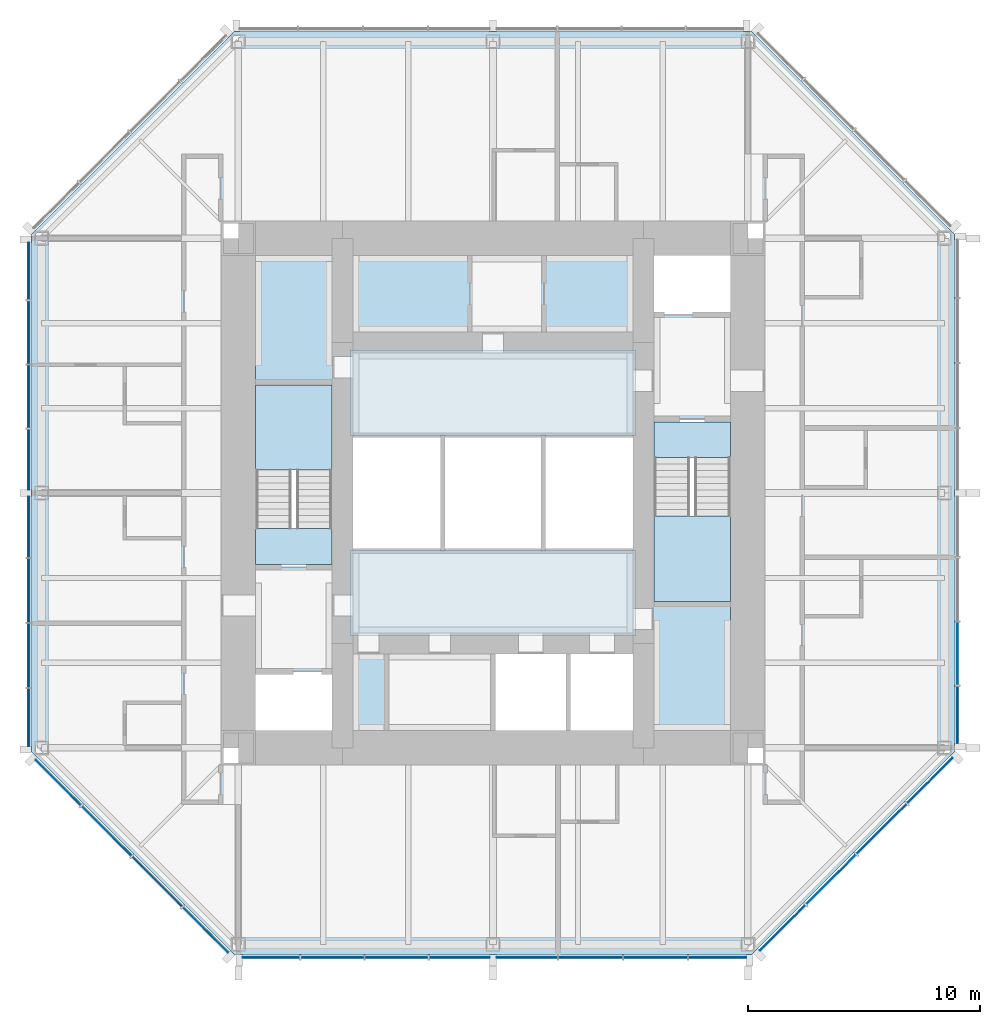
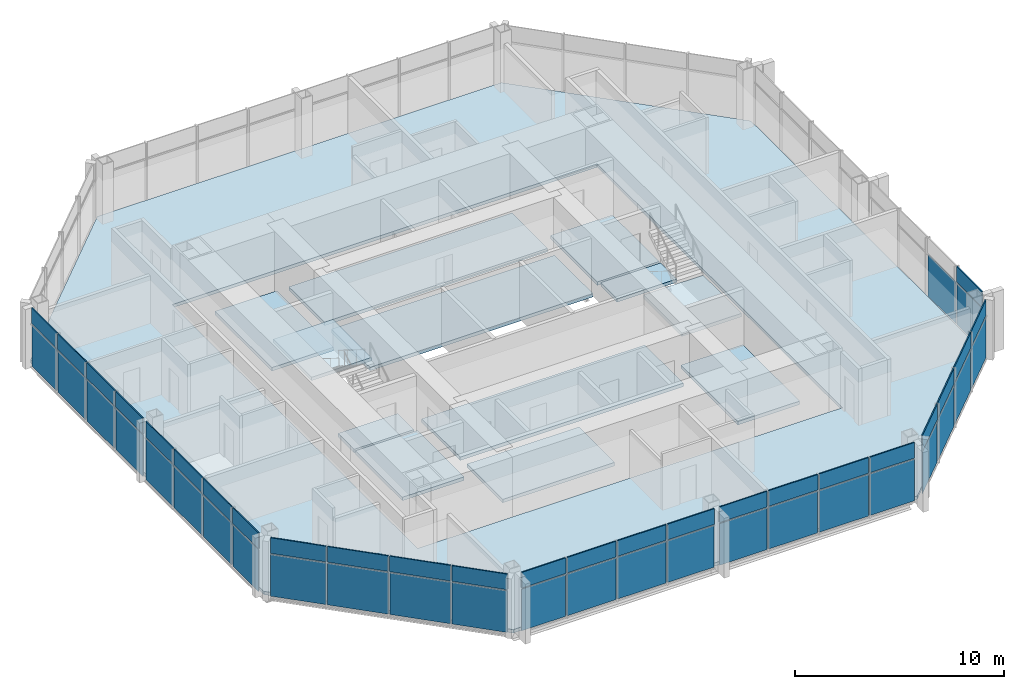
# One storey, part 6 of 11: 51 plates, 13 slabs, 7 elements without a shape of their own.
"""IFC4 building model written with IfcOpenShell, lengths in metres."""

from ifc_helpers import new_model, si_unit, direction, frame, origin, origin_2d, place, context, subcontext, project, spatial, polyline, rectangle, outline, extrude, material, layer, layer_set, type_object, element, aggregate, save


model = new_model("IFC4")

# Units and contexts
model_context = context("Model", 3, precision=1e-05, world=origin(), true_north=direction((0.0, 1.0)))
body_context = subcontext(model_context, "Body", "Model", "MODEL_VIEW")
ifc_project = project(units=[si_unit("LENGTHUNIT", "METRE"), si_unit("AREAUNIT", "SQUARE_METRE"), si_unit("VOLUMEUNIT", "CUBIC_METRE"), si_unit("PLANEANGLEUNIT", "RADIAN"), si_unit("MASSUNIT", "GRAM", prefix="KILO")], contexts=[model_context])

# Site, building, storey
site_placement = place(None, origin())
site = spatial("IfcSite", under=ifc_project, at=site_placement, CompositionType="ELEMENT")
building_placement = place(site_placement, origin())
building = spatial("IfcBuilding", under=site, at=building_placement, Name="Trevanion Tower", CompositionType="ELEMENT")
storey_placement = place(building_placement, frame((0.0, 0.0, 243.199951171875)))
storey = spatial("IfcBuildingStorey", under=building, at=storey_placement, Name="L59", CompositionType="ELEMENT", Elevation=243.199951171875)

# Curtain wall, plate
ifc_material_1 = material(Name="Aluminium and glass", Category="aluminium")
curtain_wall_type = type_object("IfcCurtainWallType", Name="CW3 curtain wall", PredefinedType="USERDEFINED", material=ifc_material_1)
curtain_wall_1_placement = place(storey_placement, origin())
curtain_wall_1 = element("IfcCurtainWall", 1, at=curtain_wall_1_placement, inside=storey, type_object=curtain_wall_type, Name="CW3 L59 0", ObjectType="UNITISED CURTAIN WALL", PredefinedType="USERDEFINED")
ifc_material_2 = material(Name="Aluminium spandrel panel", Category="aluminium")
ifc_layer_1 = layer(ifc_material_2, 0.06005859375)
ifc_layer_set_1 = layer_set([ifc_layer_1], Name="CW3 spandrel panel")
plate_type_1 = type_object("IfcPlateType", Name="CW3 spandrel panel", PredefinedType="CURTAIN_PANEL", material=ifc_layer_set_1)
plate_1_placement = place(storey_placement, frame((20.050048828125, -9.579345703125, 2.3974609375), z_axis=(0.0, 0.0, 1.0), x_axis=(0.0, 1.0, 0.0)))
plate_1 = element("IfcPlate", 2, at=plate_1_placement, type_object=plate_type_1, Name="CW3 panel 1.2", PredefinedType="CURTAIN_PANEL", context=body_context, shape_type="SweptSolid", body=[
    extrude(rectangle(XDim=2.43701171875, YDim=0.06005859375, at=origin_2d()), origin(), (0.0, 0.0, 1.0), 0.91259765625),
])

# Curtain wall, plates
curtain_wall_2_placement = place(storey_placement, origin())
curtain_wall_2 = element("IfcCurtainWall", 3, at=curtain_wall_2_placement, inside=storey, type_object=curtain_wall_type, Name="CW3 L59 4", ObjectType="UNITISED CURTAIN WALL", PredefinedType="USERDEFINED")
plate_2_placement = place(storey_placement, frame((-20.050048828125, 9.579345703125, 2.3974609375), z_axis=(0.0, 0.0, 1.0), x_axis=(0.0, -1.0, 0.0)))
plate_2 = element("IfcPlate", 4, at=plate_2_placement, type_object=plate_type_1, Name="CW3 panel 1.2", PredefinedType="CURTAIN_PANEL", context=body_context, shape_type="SweptSolid", body=[
    extrude(rectangle(XDim=2.43701171875, YDim=0.06005859375, at=origin_2d()), origin(), (0.0, 0.0, 1.0), 0.91259765625),
])
plate_3_placement = place(storey_placement, frame((-20.050048828125, 6.93603515625, 2.3974609375), z_axis=(0.0, 0.0, 1.0), x_axis=(0.0, -1.0, 0.0)))
plate_3 = element("IfcPlate", 5, at=plate_3_placement, type_object=plate_type_1, Name="CW3 panel 2.2", PredefinedType="CURTAIN_PANEL", context=body_context, shape_type="SweptSolid", body=[
    extrude(rectangle(XDim=2.699462890625, YDim=0.06005859375, at=origin_2d()), origin(), (0.0, 0.0, 1.0), 0.91259765625),
])
plate_4_placement = place(storey_placement, frame((-20.050048828125, 4.16162109375, 2.3974609375), z_axis=(0.0, 0.0, 1.0), x_axis=(0.0, -1.0, 0.0)))
plate_4 = element("IfcPlate", 6, at=plate_4_placement, type_object=plate_type_1, Name="CW3 panel 3.2", PredefinedType="CURTAIN_PANEL", context=body_context, shape_type="SweptSolid", body=[
    extrude(rectangle(XDim=2.699462890625, YDim=0.06005859375, at=origin_2d()), origin(), (0.0, 0.0, 1.0), 0.91259765625),
])
plate_5_placement = place(storey_placement, frame((-20.050048828125, 1.443603515625, 2.3974609375), z_axis=(0.0, 0.0, 1.0), x_axis=(0.0, -1.0, 0.0)))
plate_5 = element("IfcPlate", 7, at=plate_5_placement, type_object=plate_type_1, Name="CW3 panel 4.2", PredefinedType="CURTAIN_PANEL", context=body_context, shape_type="SweptSolid", body=[
    extrude(rectangle(XDim=2.5869140625, YDim=0.06005859375, at=origin_2d()), origin(), (0.0, 0.0, 1.0), 0.91259765625),
])
plate_6_placement = place(storey_placement, frame((-20.050048828125, -1.459716796875, 2.3974609375), z_axis=(0.0, 0.0, 1.0), x_axis=(0.0, -1.0, 0.0)))
plate_6 = element("IfcPlate", 8, at=plate_6_placement, type_object=plate_type_1, Name="CW3 panel 5.2", PredefinedType="CURTAIN_PANEL", context=body_context, shape_type="SweptSolid", body=[
    extrude(rectangle(XDim=2.619384765625, YDim=0.06005859375, at=origin_2d()), origin(), (0.0, 0.0, 1.0), 0.91259765625),
])
plate_7_placement = place(storey_placement, frame((-20.050048828125, -4.21044921875, 2.3974609375), z_axis=(0.0, 0.0, 1.0), x_axis=(0.0, -1.0, 0.0)))
plate_7 = element("IfcPlate", 9, at=plate_7_placement, type_object=plate_type_1, Name="CW3 panel 6.2", PredefinedType="CURTAIN_PANEL", context=body_context, shape_type="SweptSolid", body=[
    extrude(rectangle(XDim=2.73193359375, YDim=0.06005859375, at=origin_2d()), origin(), (0.0, 0.0, 1.0), 0.91259765625),
])
plate_8_placement = place(storey_placement, frame((-20.050048828125, -7.017333984375, 2.3974609375), z_axis=(0.0, 0.0, 1.0), x_axis=(0.0, -1.0, 0.0)))
plate_8 = element("IfcPlate", 10, at=plate_8_placement, type_object=plate_type_1, Name="CW3 panel 7.2", PredefinedType="CURTAIN_PANEL", context=body_context, shape_type="SweptSolid", body=[
    extrude(rectangle(XDim=2.73193359375, YDim=0.06005859375, at=origin_2d()), origin(), (0.0, 0.0, 1.0), 0.91259765625),
])
plate_9_placement = place(storey_placement, frame((-20.050048828125, -9.693115234375, 2.3974609375), z_axis=(0.0, 0.0, 1.0), x_axis=(0.0, -1.0, 0.0)))
plate_9 = element("IfcPlate", 11, at=plate_9_placement, type_object=plate_type_1, Name="CW3 panel 8.2", PredefinedType="CURTAIN_PANEL", context=body_context, shape_type="SweptSolid", body=[
    extrude(rectangle(XDim=2.469482421875, YDim=0.06005859375, at=origin_2d()), origin(), (0.0, 0.0, 1.0), 0.91259765625),
])

curtain_wall_3_placement = place(storey_placement, origin())
curtain_wall_3 = element("IfcCurtainWall", 12, at=curtain_wall_3_placement, inside=storey, type_object=curtain_wall_type, Name="CW3 L59 5", ObjectType="UNITISED CURTAIN WALL", PredefinedType="USERDEFINED")
plate_10_placement = place(storey_placement, frame((-18.77392578125, -12.50390625, 2.3974609375), z_axis=(0.0, 0.0, 1.0), x_axis=(0.707106781187, -0.707106781187, 0.0)))
plate_10 = element("IfcPlate", 13, at=plate_10_placement, type_object=plate_type_1, Name="CW3 panel 1.2", PredefinedType="CURTAIN_PANEL", context=body_context, shape_type="SweptSolid", body=[
    extrude(rectangle(XDim=2.7490234375, YDim=0.06005859375, at=origin_2d()), origin(), (0.0, 0.0, 1.0), 0.91259765625),
])
plate_11_placement = place(storey_placement, frame((-16.68408203125, -14.593505859375, 2.3974609375), z_axis=(0.0, 0.0, 1.0), x_axis=(0.707106781187, -0.707106781187, 0.0)))
plate_11 = element("IfcPlate", 14, at=plate_11_placement, type_object=plate_type_1, Name="CW3 panel 2.2", PredefinedType="CURTAIN_PANEL", context=body_context, shape_type="SweptSolid", body=[
    extrude(rectangle(XDim=3.01171875, YDim=0.06005859375, at=origin_2d()), origin(), (0.0, 0.0, 1.0), 0.91259765625),
])
plate_12_placement = place(storey_placement, frame((-14.501708984375, -16.776123046875, 2.3974609375), z_axis=(0.0, 0.0, 1.0), x_axis=(0.707106781187, -0.707106781187, 0.0)))
plate_12 = element("IfcPlate", 15, at=plate_12_placement, type_object=plate_type_1, Name="CW3 panel 3.2", PredefinedType="CURTAIN_PANEL", context=body_context, shape_type="SweptSolid", body=[
    extrude(rectangle(XDim=3.01171875, YDim=0.06005859375, at=origin_2d()), origin(), (0.0, 0.0, 1.0), 0.91259765625),
])
plate_13_placement = place(storey_placement, frame((-12.411865234375, -18.865966796875, 2.3974609375), z_axis=(0.0, 0.0, 1.0), x_axis=(0.707106781187, -0.707106781187, 0.0)))
plate_13 = element("IfcPlate", 16, at=plate_13_placement, type_object=plate_type_1, Name="CW3 panel 4.2", PredefinedType="CURTAIN_PANEL", context=body_context, shape_type="SweptSolid", body=[
    extrude(rectangle(XDim=2.7490234375, YDim=0.06005859375, at=origin_2d()), origin(), (0.0, 0.0, 1.0), 0.91259765625),
])

curtain_wall_4_placement = place(storey_placement, origin())
curtain_wall_4 = element("IfcCurtainWall", 17, at=curtain_wall_4_placement, inside=storey, type_object=curtain_wall_type, Name="CW3 L59 6", ObjectType="UNITISED CURTAIN WALL", PredefinedType="USERDEFINED")
plate_14_placement = place(storey_placement, frame((-9.579345703125, -20.050048828125, 2.3974609375), z_axis=(0.0, 0.0, 1.0), x_axis=(1.0, 0.0, 0.0)))
plate_14 = element("IfcPlate", 18, at=plate_14_placement, type_object=plate_type_1, Name="CW3 panel 1.2", PredefinedType="CURTAIN_PANEL", context=body_context, shape_type="SweptSolid", body=[
    extrude(rectangle(XDim=2.43701171875, YDim=0.06005859375, at=origin_2d()), origin(), (0.0, 0.0, 1.0), 0.91259765625),
])
plate_15_placement = place(storey_placement, frame((-6.93603515625, -20.050048828125, 2.3974609375), z_axis=(0.0, 0.0, 1.0), x_axis=(1.0, 0.0, 0.0)))
plate_15 = element("IfcPlate", 19, at=plate_15_placement, type_object=plate_type_1, Name="CW3 panel 2.2", PredefinedType="CURTAIN_PANEL", context=body_context, shape_type="SweptSolid", body=[
    extrude(rectangle(XDim=2.699462890625, YDim=0.06005859375, at=origin_2d()), origin(), (0.0, 0.0, 1.0), 0.91259765625),
])
plate_16_placement = place(storey_placement, frame((-4.16162109375, -20.050048828125, 2.3974609375), z_axis=(0.0, 0.0, 1.0), x_axis=(1.0, 0.0, 0.0)))
plate_16 = element("IfcPlate", 20, at=plate_16_placement, type_object=plate_type_1, Name="CW3 panel 3.2", PredefinedType="CURTAIN_PANEL", context=body_context, shape_type="SweptSolid", body=[
    extrude(rectangle(XDim=2.699462890625, YDim=0.06005859375, at=origin_2d()), origin(), (0.0, 0.0, 1.0), 0.91259765625),
])
plate_17_placement = place(storey_placement, frame((-1.443603515625, -20.050048828125, 2.3974609375), z_axis=(0.0, 0.0, 1.0), x_axis=(1.0, 0.0, 0.0)))
plate_17 = element("IfcPlate", 21, at=plate_17_placement, type_object=plate_type_1, Name="CW3 panel 4.2", PredefinedType="CURTAIN_PANEL", context=body_context, shape_type="SweptSolid", body=[
    extrude(rectangle(XDim=2.5869140625, YDim=0.06005859375, at=origin_2d()), origin(), (0.0, 0.0, 1.0), 0.91259765625),
])
plate_18_placement = place(storey_placement, frame((1.459716796875, -20.050048828125, 2.3974609375), z_axis=(0.0, 0.0, 1.0), x_axis=(1.0, 0.0, 0.0)))
plate_18 = element("IfcPlate", 22, at=plate_18_placement, type_object=plate_type_1, Name="CW3 panel 5.2", PredefinedType="CURTAIN_PANEL", context=body_context, shape_type="SweptSolid", body=[
    extrude(rectangle(XDim=2.619384765625, YDim=0.06005859375, at=origin_2d()), origin(), (0.0, 0.0, 1.0), 0.91259765625),
])
plate_19_placement = place(storey_placement, frame((4.21044921875, -20.050048828125, 2.3974609375), z_axis=(0.0, 0.0, 1.0), x_axis=(1.0, 0.0, 0.0)))
plate_19 = element("IfcPlate", 23, at=plate_19_placement, type_object=plate_type_1, Name="CW3 panel 6.2", PredefinedType="CURTAIN_PANEL", context=body_context, shape_type="SweptSolid", body=[
    extrude(rectangle(XDim=2.73193359375, YDim=0.06005859375, at=origin_2d()), origin(), (0.0, 0.0, 1.0), 0.91259765625),
])
plate_20_placement = place(storey_placement, frame((7.017333984375, -20.050048828125, 2.3974609375), z_axis=(0.0, 0.0, 1.0), x_axis=(1.0, 0.0, 0.0)))
plate_20 = element("IfcPlate", 24, at=plate_20_placement, type_object=plate_type_1, Name="CW3 panel 7.2", PredefinedType="CURTAIN_PANEL", context=body_context, shape_type="SweptSolid", body=[
    extrude(rectangle(XDim=2.73193359375, YDim=0.06005859375, at=origin_2d()), origin(), (0.0, 0.0, 1.0), 0.91259765625),
])
plate_21_placement = place(storey_placement, frame((9.693115234375, -20.050048828125, 2.3974609375), z_axis=(0.0, 0.0, 1.0), x_axis=(1.0, 0.0, 0.0)))
plate_21 = element("IfcPlate", 25, at=plate_21_placement, type_object=plate_type_1, Name="CW3 panel 8.2", PredefinedType="CURTAIN_PANEL", context=body_context, shape_type="SweptSolid", body=[
    extrude(rectangle(XDim=2.469482421875, YDim=0.06005859375, at=origin_2d()), origin(), (0.0, 0.0, 1.0), 0.91259765625),
])

curtain_wall_5_placement = place(storey_placement, origin())
curtain_wall_5 = element("IfcCurtainWall", 26, at=curtain_wall_5_placement, inside=storey, type_object=curtain_wall_type, Name="CW3 L59 7", ObjectType="UNITISED CURTAIN WALL", PredefinedType="USERDEFINED")
plate_22_placement = place(storey_placement, frame((12.50390625, -18.77392578125, 2.3974609375), z_axis=(0.0, 0.0, 1.0), x_axis=(0.707106781187, 0.707106781187, 0.0)))
plate_22 = element("IfcPlate", 27, at=plate_22_placement, type_object=plate_type_1, Name="CW3 panel 1.2", PredefinedType="CURTAIN_PANEL", context=body_context, shape_type="SweptSolid", body=[
    extrude(rectangle(XDim=2.7490234375, YDim=0.06005859375, at=origin_2d()), origin(), (0.0, 0.0, 1.0), 0.91259765625),
])
plate_23_placement = place(storey_placement, frame((14.593505859375, -16.68408203125, 2.3974609375), z_axis=(0.0, 0.0, 1.0), x_axis=(0.707106781187, 0.707106781187, 0.0)))
plate_23 = element("IfcPlate", 28, at=plate_23_placement, type_object=plate_type_1, Name="CW3 panel 2.2", PredefinedType="CURTAIN_PANEL", context=body_context, shape_type="SweptSolid", body=[
    extrude(rectangle(XDim=3.01171875, YDim=0.06005859375, at=origin_2d()), origin(), (0.0, 0.0, 1.0), 0.91259765625),
])
plate_24_placement = place(storey_placement, frame((16.776123046875, -14.501708984375, 2.3974609375), z_axis=(0.0, 0.0, 1.0), x_axis=(0.707106781187, 0.707106781187, 0.0)))
plate_24 = element("IfcPlate", 29, at=plate_24_placement, type_object=plate_type_1, Name="CW3 panel 3.2", PredefinedType="CURTAIN_PANEL", context=body_context, shape_type="SweptSolid", body=[
    extrude(rectangle(XDim=3.01171875, YDim=0.06005859375, at=origin_2d()), origin(), (0.0, 0.0, 1.0), 0.91259765625),
])
plate_25_placement = place(storey_placement, frame((18.865966796875, -12.411865234375, 2.3974609375), z_axis=(0.0, 0.0, 1.0), x_axis=(0.707106781187, 0.707106781187, 0.0)))
plate_25 = element("IfcPlate", 30, at=plate_25_placement, type_object=plate_type_1, Name="CW3 panel 4.2", PredefinedType="CURTAIN_PANEL", context=body_context, shape_type="SweptSolid", body=[
    extrude(rectangle(XDim=2.7490234375, YDim=0.06005859375, at=origin_2d()), origin(), (0.0, 0.0, 1.0), 0.91259765625),
])

# Plate
ifc_material_3 = material(Name="Insulating glass unit", Category="glass")
ifc_layer_2 = layer(ifc_material_3, 0.028076171875)
ifc_layer_set_2 = layer_set([ifc_layer_2], Name="CW3 vision panel")
plate_type_2 = type_object("IfcPlateType", Name="CW3 vision panel", PredefinedType="CURTAIN_PANEL", material=ifc_layer_set_2)
plate_26_placement = place(storey_placement, frame((20.050048828125, -9.579345703125, -0.114990234375), z_axis=(0.0, 0.0, 1.0), x_axis=(0.0, 1.0, 0.0)))
plate_26 = element("IfcPlate", 31, at=plate_26_placement, type_object=plate_type_2, Name="CW3 panel 1.1", PredefinedType="CURTAIN_PANEL", context=body_context, shape_type="SweptSolid", body=[
    extrude(rectangle(XDim=2.43701171875, YDim=0.028076171875, at=origin_2d()), origin(), (0.0, 0.0, 1.0), 2.4375),
])

plate_27_placement = place(storey_placement, frame((20.050048828125, -6.93603515625, -0.114990234375), z_axis=(0.0, 0.0, 1.0), x_axis=(0.0, 1.0, 0.0)))
plate_27 = element("IfcPlate", 32, at=plate_27_placement, type_object=plate_type_2, Name="CW3 panel 2.1", PredefinedType="CURTAIN_PANEL", context=body_context, shape_type="SweptSolid", body=[
    extrude(rectangle(XDim=2.699462890625, YDim=0.028076171875, at=origin_2d()), origin(), (0.0, 0.0, 1.0), 2.4375),
])

aggregate(curtain_wall_1, [plate_26, plate_1, plate_27])

plate_28_placement = place(storey_placement, frame((-20.050048828125, 9.579345703125, -0.114990234375), z_axis=(0.0, 0.0, 1.0), x_axis=(0.0, -1.0, 0.0)))
plate_28 = element("IfcPlate", 33, at=plate_28_placement, type_object=plate_type_2, Name="CW3 panel 1.1", PredefinedType="CURTAIN_PANEL", context=body_context, shape_type="SweptSolid", body=[
    extrude(rectangle(XDim=2.43701171875, YDim=0.028076171875, at=origin_2d()), origin(), (0.0, 0.0, 1.0), 2.4375),
])

plate_29_placement = place(storey_placement, frame((-20.050048828125, 6.93603515625, -0.114990234375), z_axis=(0.0, 0.0, 1.0), x_axis=(0.0, -1.0, 0.0)))
plate_29 = element("IfcPlate", 34, at=plate_29_placement, type_object=plate_type_2, Name="CW3 panel 2.1", PredefinedType="CURTAIN_PANEL", context=body_context, shape_type="SweptSolid", body=[
    extrude(rectangle(XDim=2.699462890625, YDim=0.028076171875, at=origin_2d()), origin(), (0.0, 0.0, 1.0), 2.4375),
])

plate_30_placement = place(storey_placement, frame((-20.050048828125, 4.16162109375, -0.114990234375), z_axis=(0.0, 0.0, 1.0), x_axis=(0.0, -1.0, 0.0)))
plate_30 = element("IfcPlate", 35, at=plate_30_placement, type_object=plate_type_2, Name="CW3 panel 3.1", PredefinedType="CURTAIN_PANEL", context=body_context, shape_type="SweptSolid", body=[
    extrude(rectangle(XDim=2.699462890625, YDim=0.028076171875, at=origin_2d()), origin(), (0.0, 0.0, 1.0), 2.4375),
])

plate_31_placement = place(storey_placement, frame((-20.050048828125, 1.443603515625, -0.114990234375), z_axis=(0.0, 0.0, 1.0), x_axis=(0.0, -1.0, 0.0)))
plate_31 = element("IfcPlate", 36, at=plate_31_placement, type_object=plate_type_2, Name="CW3 panel 4.1", PredefinedType="CURTAIN_PANEL", context=body_context, shape_type="SweptSolid", body=[
    extrude(rectangle(XDim=2.5869140625, YDim=0.028076171875, at=origin_2d()), origin(), (0.0, 0.0, 1.0), 2.4375),
])

plate_32_placement = place(storey_placement, frame((-20.050048828125, -1.459716796875, -0.114990234375), z_axis=(0.0, 0.0, 1.0), x_axis=(0.0, -1.0, 0.0)))
plate_32 = element("IfcPlate", 37, at=plate_32_placement, type_object=plate_type_2, Name="CW3 panel 5.1", PredefinedType="CURTAIN_PANEL", context=body_context, shape_type="SweptSolid", body=[
    extrude(rectangle(XDim=2.619384765625, YDim=0.028076171875, at=origin_2d()), origin(), (0.0, 0.0, 1.0), 2.4375),
])

plate_33_placement = place(storey_placement, frame((-20.050048828125, -4.21044921875, -0.114990234375), z_axis=(0.0, 0.0, 1.0), x_axis=(0.0, -1.0, 0.0)))
plate_33 = element("IfcPlate", 38, at=plate_33_placement, type_object=plate_type_2, Name="CW3 panel 6.1", PredefinedType="CURTAIN_PANEL", context=body_context, shape_type="SweptSolid", body=[
    extrude(rectangle(XDim=2.73193359375, YDim=0.028076171875, at=origin_2d()), origin(), (0.0, 0.0, 1.0), 2.4375),
])

plate_34_placement = place(storey_placement, frame((-20.050048828125, -7.017333984375, -0.114990234375), z_axis=(0.0, 0.0, 1.0), x_axis=(0.0, -1.0, 0.0)))
plate_34 = element("IfcPlate", 39, at=plate_34_placement, type_object=plate_type_2, Name="CW3 panel 7.1", PredefinedType="CURTAIN_PANEL", context=body_context, shape_type="SweptSolid", body=[
    extrude(rectangle(XDim=2.73193359375, YDim=0.028076171875, at=origin_2d()), origin(), (0.0, 0.0, 1.0), 2.4375),
])

plate_35_placement = place(storey_placement, frame((-20.050048828125, -9.693115234375, -0.114990234375), z_axis=(0.0, 0.0, 1.0), x_axis=(0.0, -1.0, 0.0)))
plate_35 = element("IfcPlate", 40, at=plate_35_placement, type_object=plate_type_2, Name="CW3 panel 8.1", PredefinedType="CURTAIN_PANEL", context=body_context, shape_type="SweptSolid", body=[
    extrude(rectangle(XDim=2.469482421875, YDim=0.028076171875, at=origin_2d()), origin(), (0.0, 0.0, 1.0), 2.4375),
])

aggregate(curtain_wall_2, [plate_28, plate_2, plate_29, plate_3, plate_30, plate_4, plate_31, plate_5, plate_32, plate_6, plate_33, plate_7, plate_34, plate_8, plate_35, plate_9])

plate_36_placement = place(storey_placement, frame((-18.77392578125, -12.50390625, -0.114990234375), z_axis=(0.0, 0.0, 1.0), x_axis=(0.707106781187, -0.707106781187, 0.0)))
plate_36 = element("IfcPlate", 41, at=plate_36_placement, type_object=plate_type_2, Name="CW3 panel 1.1", PredefinedType="CURTAIN_PANEL", context=body_context, shape_type="SweptSolid", body=[
    extrude(rectangle(XDim=2.7490234375, YDim=0.028076171875, at=origin_2d()), origin(), (0.0, 0.0, 1.0), 2.4375),
])

plate_37_placement = place(storey_placement, frame((-16.68408203125, -14.593505859375, -0.114990234375), z_axis=(0.0, 0.0, 1.0), x_axis=(0.707106781187, -0.707106781187, 0.0)))
plate_37 = element("IfcPlate", 42, at=plate_37_placement, type_object=plate_type_2, Name="CW3 panel 2.1", PredefinedType="CURTAIN_PANEL", context=body_context, shape_type="SweptSolid", body=[
    extrude(rectangle(XDim=3.01171875, YDim=0.028076171875, at=origin_2d()), origin(), (0.0, 0.0, 1.0), 2.4375),
])

plate_38_placement = place(storey_placement, frame((-14.501708984375, -16.776123046875, -0.114990234375), z_axis=(0.0, 0.0, 1.0), x_axis=(0.707106781187, -0.707106781187, 0.0)))
plate_38 = element("IfcPlate", 43, at=plate_38_placement, type_object=plate_type_2, Name="CW3 panel 3.1", PredefinedType="CURTAIN_PANEL", context=body_context, shape_type="SweptSolid", body=[
    extrude(rectangle(XDim=3.01171875, YDim=0.028076171875, at=origin_2d()), origin(), (0.0, 0.0, 1.0), 2.4375),
])

plate_39_placement = place(storey_placement, frame((-12.411865234375, -18.865966796875, -0.114990234375), z_axis=(0.0, 0.0, 1.0), x_axis=(0.707106781187, -0.707106781187, 0.0)))
plate_39 = element("IfcPlate", 44, at=plate_39_placement, type_object=plate_type_2, Name="CW3 panel 4.1", PredefinedType="CURTAIN_PANEL", context=body_context, shape_type="SweptSolid", body=[
    extrude(rectangle(XDim=2.7490234375, YDim=0.028076171875, at=origin_2d()), origin(), (0.0, 0.0, 1.0), 2.4375),
])

aggregate(curtain_wall_3, [plate_36, plate_10, plate_37, plate_11, plate_38, plate_12, plate_39, plate_13])

plate_40_placement = place(storey_placement, frame((-9.579345703125, -20.050048828125, -0.114990234375), z_axis=(0.0, 0.0, 1.0), x_axis=(1.0, 0.0, 0.0)))
plate_40 = element("IfcPlate", 45, at=plate_40_placement, type_object=plate_type_2, Name="CW3 panel 1.1", PredefinedType="CURTAIN_PANEL", context=body_context, shape_type="SweptSolid", body=[
    extrude(rectangle(XDim=2.43701171875, YDim=0.028076171875, at=origin_2d()), origin(), (0.0, 0.0, 1.0), 2.4375),
])

plate_41_placement = place(storey_placement, frame((-6.93603515625, -20.050048828125, -0.114990234375), z_axis=(0.0, 0.0, 1.0), x_axis=(1.0, 0.0, 0.0)))
plate_41 = element("IfcPlate", 46, at=plate_41_placement, type_object=plate_type_2, Name="CW3 panel 2.1", PredefinedType="CURTAIN_PANEL", context=body_context, shape_type="SweptSolid", body=[
    extrude(rectangle(XDim=2.699462890625, YDim=0.028076171875, at=origin_2d()), origin(), (0.0, 0.0, 1.0), 2.4375),
])

plate_42_placement = place(storey_placement, frame((-4.16162109375, -20.050048828125, -0.114990234375), z_axis=(0.0, 0.0, 1.0), x_axis=(1.0, 0.0, 0.0)))
plate_42 = element("IfcPlate", 47, at=plate_42_placement, type_object=plate_type_2, Name="CW3 panel 3.1", PredefinedType="CURTAIN_PANEL", context=body_context, shape_type="SweptSolid", body=[
    extrude(rectangle(XDim=2.699462890625, YDim=0.028076171875, at=origin_2d()), origin(), (0.0, 0.0, 1.0), 2.4375),
])

plate_43_placement = place(storey_placement, frame((-1.443603515625, -20.050048828125, -0.114990234375), z_axis=(0.0, 0.0, 1.0), x_axis=(1.0, 0.0, 0.0)))
plate_43 = element("IfcPlate", 48, at=plate_43_placement, type_object=plate_type_2, Name="CW3 panel 4.1", PredefinedType="CURTAIN_PANEL", context=body_context, shape_type="SweptSolid", body=[
    extrude(rectangle(XDim=2.5869140625, YDim=0.028076171875, at=origin_2d()), origin(), (0.0, 0.0, 1.0), 2.4375),
])

plate_44_placement = place(storey_placement, frame((1.459716796875, -20.050048828125, -0.114990234375), z_axis=(0.0, 0.0, 1.0), x_axis=(1.0, 0.0, 0.0)))
plate_44 = element("IfcPlate", 49, at=plate_44_placement, type_object=plate_type_2, Name="CW3 panel 5.1", PredefinedType="CURTAIN_PANEL", context=body_context, shape_type="SweptSolid", body=[
    extrude(rectangle(XDim=2.619384765625, YDim=0.028076171875, at=origin_2d()), origin(), (0.0, 0.0, 1.0), 2.4375),
])

plate_45_placement = place(storey_placement, frame((4.21044921875, -20.050048828125, -0.114990234375), z_axis=(0.0, 0.0, 1.0), x_axis=(1.0, 0.0, 0.0)))
plate_45 = element("IfcPlate", 50, at=plate_45_placement, type_object=plate_type_2, Name="CW3 panel 6.1", PredefinedType="CURTAIN_PANEL", context=body_context, shape_type="SweptSolid", body=[
    extrude(rectangle(XDim=2.73193359375, YDim=0.028076171875, at=origin_2d()), origin(), (0.0, 0.0, 1.0), 2.4375),
])

plate_46_placement = place(storey_placement, frame((7.017333984375, -20.050048828125, -0.114990234375), z_axis=(0.0, 0.0, 1.0), x_axis=(1.0, 0.0, 0.0)))
plate_46 = element("IfcPlate", 51, at=plate_46_placement, type_object=plate_type_2, Name="CW3 panel 7.1", PredefinedType="CURTAIN_PANEL", context=body_context, shape_type="SweptSolid", body=[
    extrude(rectangle(XDim=2.73193359375, YDim=0.028076171875, at=origin_2d()), origin(), (0.0, 0.0, 1.0), 2.4375),
])

plate_47_placement = place(storey_placement, frame((9.693115234375, -20.050048828125, -0.114990234375), z_axis=(0.0, 0.0, 1.0), x_axis=(1.0, 0.0, 0.0)))
plate_47 = element("IfcPlate", 52, at=plate_47_placement, type_object=plate_type_2, Name="CW3 panel 8.1", PredefinedType="CURTAIN_PANEL", context=body_context, shape_type="SweptSolid", body=[
    extrude(rectangle(XDim=2.469482421875, YDim=0.028076171875, at=origin_2d()), origin(), (0.0, 0.0, 1.0), 2.4375),
])

aggregate(curtain_wall_4, [plate_40, plate_14, plate_41, plate_15, plate_42, plate_16, plate_43, plate_17, plate_44, plate_18, plate_45, plate_19, plate_46, plate_20, plate_47, plate_21])

plate_48_placement = place(storey_placement, frame((12.50390625, -18.77392578125, -0.114990234375), z_axis=(0.0, 0.0, 1.0), x_axis=(0.707106781187, 0.707106781187, 0.0)))
plate_48 = element("IfcPlate", 53, at=plate_48_placement, type_object=plate_type_2, Name="CW3 panel 1.1", PredefinedType="CURTAIN_PANEL", context=body_context, shape_type="SweptSolid", body=[
    extrude(rectangle(XDim=2.7490234375, YDim=0.028076171875, at=origin_2d()), origin(), (0.0, 0.0, 1.0), 2.4375),
])

plate_49_placement = place(storey_placement, frame((14.593505859375, -16.68408203125, -0.114990234375), z_axis=(0.0, 0.0, 1.0), x_axis=(0.707106781187, 0.707106781187, 0.0)))
plate_49 = element("IfcPlate", 54, at=plate_49_placement, type_object=plate_type_2, Name="CW3 panel 2.1", PredefinedType="CURTAIN_PANEL", context=body_context, shape_type="SweptSolid", body=[
    extrude(rectangle(XDim=3.01171875, YDim=0.028076171875, at=origin_2d()), origin(), (0.0, 0.0, 1.0), 2.4375),
])

plate_50_placement = place(storey_placement, frame((16.776123046875, -14.501708984375, -0.114990234375), z_axis=(0.0, 0.0, 1.0), x_axis=(0.707106781187, 0.707106781187, 0.0)))
plate_50 = element("IfcPlate", 55, at=plate_50_placement, type_object=plate_type_2, Name="CW3 panel 3.1", PredefinedType="CURTAIN_PANEL", context=body_context, shape_type="SweptSolid", body=[
    extrude(rectangle(XDim=3.01171875, YDim=0.028076171875, at=origin_2d()), origin(), (0.0, 0.0, 1.0), 2.4375),
])

plate_51_placement = place(storey_placement, frame((18.865966796875, -12.411865234375, -0.114990234375), z_axis=(0.0, 0.0, 1.0), x_axis=(0.707106781187, 0.707106781187, 0.0)))
plate_51 = element("IfcPlate", 56, at=plate_51_placement, type_object=plate_type_2, Name="CW3 panel 4.1", PredefinedType="CURTAIN_PANEL", context=body_context, shape_type="SweptSolid", body=[
    extrude(rectangle(XDim=2.7490234375, YDim=0.028076171875, at=origin_2d()), origin(), (0.0, 0.0, 1.0), 2.4375),
])

aggregate(curtain_wall_5, [plate_48, plate_22, plate_49, plate_23, plate_50, plate_24, plate_51, plate_25])

# Slabs
ifc_material_4 = material(Name="Concrete 5,000 psi on composite metal deck", Category="concrete")
ifc_layer_3 = layer(ifc_material_4, 0.18994140625)
ifc_layer_set_3 = layer_set([ifc_layer_3], Name="SL1 composite floor 190")
slab_type_1 = type_object("IfcSlabType", Name="SL1 composite floor 190", PredefinedType="FLOOR", material=ifc_layer_set_3)
slab_1_placement = place(storey_placement, frame((0.0, 0.0, -0.18994140625)))
element("IfcSlab", 57, at=slab_1_placement, inside=storey, type_object=slab_type_1, Name="SL1 L59 floor", PredefinedType="FLOOR", context=body_context, shape_type="SweptSolid", body=[
    extrude(outline(polyline([(19.919921875, -11.174072265625), (19.919921875, 11.174072265625), (11.174072265625, 19.919921875), (-11.174072265625, 19.919921875), (-19.919921875, 11.174072265625), (-19.919921875, -11.174072265625), (-11.174072265625, -19.919921875), (11.174072265625, -19.919921875), (19.919921875, -11.174072265625)]), holes=[polyline([(11.75, -11.75), (11.75, 11.75), (-11.75, 11.75), (-11.75, -11.75), (11.75, -11.75)])]), origin(), (0.0, 0.0, 1.0), 0.18994140625),
])
ifc_material_5 = material(Name="Concrete 5,000 psi", Category="concrete")
ifc_layer_4 = layer(ifc_material_5, 0.199951171875)
ifc_layer_set_4 = layer_set([ifc_layer_4], Name="SL2 core floor 200")
slab_type_2 = type_object("IfcSlabType", Name="SL2 core floor 200", PredefinedType="FLOOR", material=ifc_layer_set_4)
slab_2_placement = place(storey_placement, frame((0.0, 0.0, -0.199951171875)))
element("IfcSlab", 58, at=slab_2_placement, inside=storey, type_object=slab_type_2, Name="SL2 L59 core floor 1", PredefinedType="FLOOR", context=body_context, shape_type="SweptSolid", body=[
    extrude(outline(polyline([(0.02001953125, -10.25), (-6.169921875, -10.25), (-6.169921875, -6.830078125), (0.02001953125, -6.830078125), (0.02001953125, -10.25)])), origin(), (0.0, 0.0, 1.0), 0.199951171875),
])
slab_3_placement = place(storey_placement, frame((0.0, 0.0, -0.199951171875)))
element("IfcSlab", 59, at=slab_3_placement, inside=storey, type_object=slab_type_2, Name="SL2 L59 core floor 2", PredefinedType="FLOOR", context=body_context, shape_type="SweptSolid", body=[
    extrude(outline(polyline([(6.830078125, -4.804931640625), (10.25, -4.804931640625), (10.25, -10.25), (6.830078125, -10.25), (6.830078125, -4.804931640625)])), origin(), (0.0, 0.0, 1.0), 0.199951171875),
])
slab_4_placement = place(storey_placement, frame((0.0, 0.0, -0.199951171875)))
element("IfcSlab", 60, at=slab_4_placement, inside=storey, type_object=slab_type_2, Name="SL2 L59 core floor 3", PredefinedType="FLOOR", context=body_context, shape_type="SweptSolid", body=[
    extrude(outline(polyline([(-6.830078125, -3.205078125), (-6.830078125, -7.695068359375), (-10.25, -7.695068359375), (-10.25, -3.205078125), (-6.830078125, -3.205078125)])), origin(), (0.0, 0.0, 1.0), 0.199951171875),
])
slab_5_placement = place(storey_placement, frame((0.0, 0.0, -0.199951171875)))
element("IfcSlab", 61, at=slab_5_placement, inside=storey, type_object=slab_type_2, Name="SL2 L59 core floor 4", PredefinedType="FLOOR", context=body_context, shape_type="SweptSolid", body=[
    extrude(outline(polyline([(6.169921875, -6.169921875), (-6.169921875, -6.169921875), (-6.169921875, -2.47998046875), (6.169921875, -2.47998046875), (6.169921875, -6.169921875)])), origin(), (0.0, 0.0, 1.0), 0.199951171875),
])
slab_6_placement = place(storey_placement, frame((0.0, 0.0, -0.199951171875)))
element("IfcSlab", 62, at=slab_6_placement, inside=storey, type_object=slab_type_2, Name="SL2 L59 core floor 5", PredefinedType="FLOOR", context=body_context, shape_type="SweptSolid", body=[
    extrude(outline(polyline([(6.169921875, 2.47998046875), (-6.169921875, 2.47998046875), (-6.169921875, 6.169921875), (6.169921875, 6.169921875), (6.169921875, 2.47998046875)])), origin(), (0.0, 0.0, 1.0), 0.199951171875),
])
slab_7_placement = place(storey_placement, frame((0.0, 0.0, -0.199951171875)))
element("IfcSlab", 63, at=slab_7_placement, inside=storey, type_object=slab_type_2, Name="SL2 L59 core floor 6", PredefinedType="FLOOR", context=body_context, shape_type="SweptSolid", body=[
    extrude(outline(polyline([(6.830078125, 3.205078125), (6.830078125, 7.695068359375), (10.25, 7.695068359375), (10.25, 3.205078125), (6.830078125, 3.205078125)])), origin(), (0.0, 0.0, 1.0), 0.199951171875),
])
slab_8_placement = place(storey_placement, frame((0.0, 0.0, -0.199951171875)))
element("IfcSlab", 64, at=slab_8_placement, inside=storey, type_object=slab_type_2, Name="SL2 L59 core floor 7", PredefinedType="FLOOR", context=body_context, shape_type="SweptSolid", body=[
    extrude(outline(polyline([(-6.830078125, 4.804931640625), (-10.25, 4.804931640625), (-10.25, 10.25), (-6.830078125, 10.25), (-6.830078125, 4.804931640625)])), origin(), (0.0, 0.0, 1.0), 0.199951171875),
])
slab_9_placement = place(storey_placement, frame((0.0, 0.0, -0.199951171875)))
element("IfcSlab", 65, at=slab_9_placement, inside=storey, type_object=slab_type_2, Name="SL2 L59 core floor 8", PredefinedType="FLOOR", context=body_context, shape_type="SweptSolid", body=[
    extrude(outline(polyline([(6.169921875, 6.830078125), (-6.169921875, 6.830078125), (-6.169921875, 10.25), (6.169921875, 10.25), (6.169921875, 6.830078125)])), origin(), (0.0, 0.0, 1.0), 0.199951171875),
])

# Stair, slabs
ifc_material_6 = material(Name="Concrete 5,000 psi on steel stringers", Category="concrete")
stair_type = type_object("IfcStairType", Name="ST stair", PredefinedType="HALF_TURN_STAIR", material=ifc_material_6)
stair_1_placement = place(storey_placement, origin())
stair_1 = element("IfcStair", 66, at=stair_1_placement, inside=storey, type_object=stair_type, Name="ST1 L59", PredefinedType="HALF_TURN_STAIR")
ifc_material_7 = material(Name="Concrete 5,000 psi in steel pan", Category="concrete")
ifc_layer_5 = layer(ifc_material_7, 0.199951171875)
ifc_layer_set_5 = layer_set([ifc_layer_5], Name="STL stair landing 200")
slab_type_3 = type_object("IfcSlabType", Name="STL stair landing 200", PredefinedType="LANDING", material=ifc_layer_set_5)
slab_10_placement = place(storey_placement, frame((0.0, 0.0, -0.199951171875)))
slab_10 = element("IfcSlab", 67, at=slab_10_placement, type_object=slab_type_3, Name="ST1 landing 1", PredefinedType="LANDING", context=body_context, shape_type="SweptSolid", body=[
    extrude(outline(polyline([(6.949951171875, 1.52490234375), (10.25, 1.52490234375), (10.25, 3.074951171875), (6.949951171875, 3.074951171875), (6.949951171875, 1.52490234375)])), origin(), (0.0, 0.0, 1.0), 0.199951171875),
])
slab_11_placement = place(storey_placement, frame((0.0, 0.0, 1.550048828125)))
slab_11 = element("IfcSlab", 68, at=slab_11_placement, type_object=slab_type_3, Name="ST1 landing 2", PredefinedType="LANDING", context=body_context, shape_type="SweptSolid", body=[
    extrude(outline(polyline([(6.949951171875, -4.675048828125), (10.25, -4.675048828125), (10.25, -0.9951171875), (6.949951171875, -0.9951171875), (6.949951171875, -4.675048828125)])), origin(), (0.0, 0.0, 1.0), 0.199951171875),
])
aggregate(stair_1, [slab_10, slab_11])

stair_2_placement = place(storey_placement, origin())
stair_2 = element("IfcStair", 69, at=stair_2_placement, inside=storey, type_object=stair_type, Name="ST2 L59", PredefinedType="HALF_TURN_STAIR")
slab_12_placement = place(storey_placement, frame((0.0, 0.0, -0.199951171875)))
slab_12 = element("IfcSlab", 70, at=slab_12_placement, type_object=slab_type_3, Name="ST2 landing 1", PredefinedType="LANDING", context=body_context, shape_type="SweptSolid", body=[
    extrude(outline(polyline([(-6.949951171875, -1.52490234375), (-10.25, -1.52490234375), (-10.25, -3.074951171875), (-6.949951171875, -3.074951171875), (-6.949951171875, -1.52490234375)])), origin(), (0.0, 0.0, 1.0), 0.199951171875),
])
slab_13_placement = place(storey_placement, frame((0.0, 0.0, 1.550048828125)))
slab_13 = element("IfcSlab", 71, at=slab_13_placement, type_object=slab_type_3, Name="ST2 landing 2", PredefinedType="LANDING", context=body_context, shape_type="SweptSolid", body=[
    extrude(outline(polyline([(-6.949951171875, 4.675048828125), (-10.25, 4.675048828125), (-10.25, 0.9951171875), (-6.949951171875, 0.9951171875), (-6.949951171875, 4.675048828125)])), origin(), (0.0, 0.0, 1.0), 0.199951171875),
])
aggregate(stair_2, [slab_12, slab_13])

save(model, "model.ifc")
